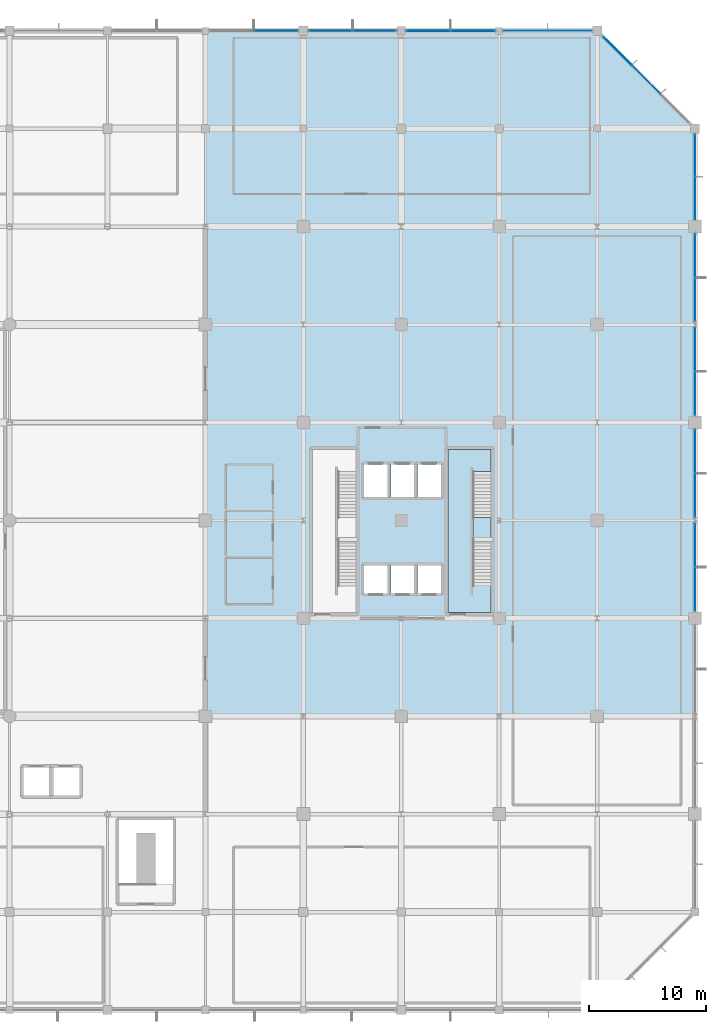
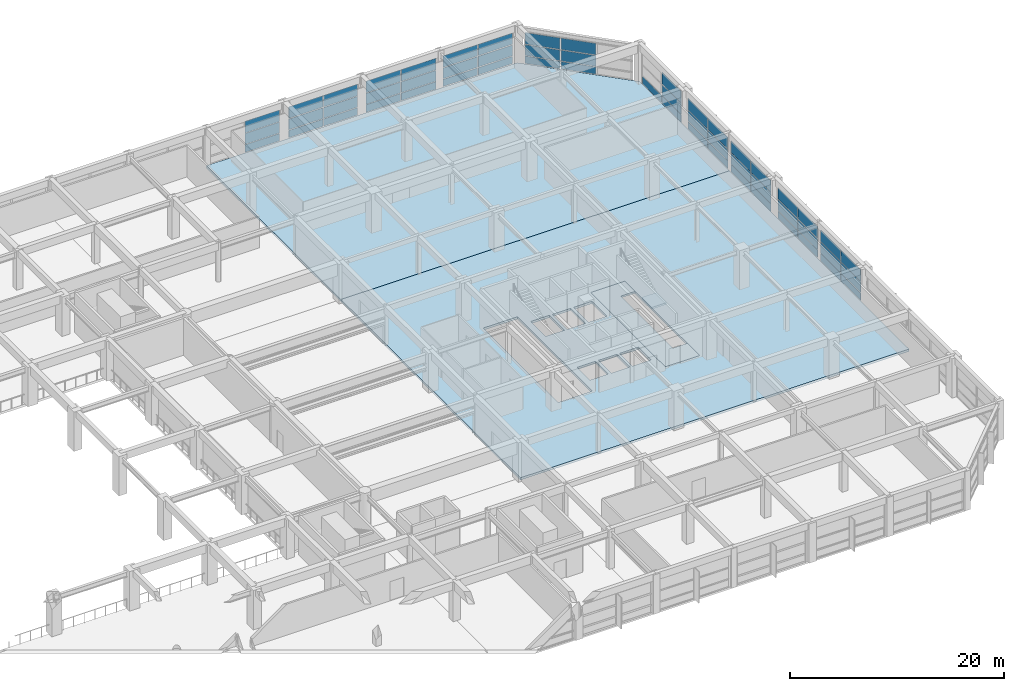
# One storey, part 40 of 56: 55 plates, 4 slabs, 11 elements without a shape of their own.
"""IFC4 building model written with IfcOpenShell, lengths in metres."""

from ifc_helpers import new_model, si_unit, direction, frame, origin, origin_2d, place, context, subcontext, project, spatial, polyline, rectangle, outline, extrude, material, layer, layer_set, type_object, element, aggregate, save


model = new_model("IFC4")

# Units and contexts
model_context = context("Model", 3, precision=1e-05, world=origin(), true_north=direction((0.0, 1.0)))
body_context = subcontext(model_context, "Body", "Model", "MODEL_VIEW")
ifc_project = project(units=[si_unit("LENGTHUNIT", "METRE"), si_unit("AREAUNIT", "SQUARE_METRE"), si_unit("VOLUMEUNIT", "CUBIC_METRE"), si_unit("PLANEANGLEUNIT", "RADIAN"), si_unit("MASSUNIT", "GRAM", prefix="KILO")], contexts=[model_context])

# Site, building, storey
site_placement = place(None, origin())
site = spatial("IfcSite", under=ifc_project, at=site_placement, CompositionType="ELEMENT")
building_placement = place(site_placement, origin())
building = spatial("IfcBuilding", under=site, at=building_placement, Name="Xuanlan Plaza Opera House", CompositionType="ELEMENT")
storey_placement = place(building_placement, frame((0.0, 0.0, 18.89990234375)))
storey = spatial("IfcBuildingStorey", under=building, at=storey_placement, Name="L04", CompositionType="ELEMENT", Elevation=18.89990234375)

# Curtain wall, plates
ifc_material_1 = material(Name="Anodised Aluminium 6063-T6 and Low-E Glass", Category="aluminium")
curtain_wall_type_1 = type_object("IfcCurtainWallType", Name="ENV-CW-CW-03", PredefinedType="USERDEFINED", material=ifc_material_1)
curtain_wall_1_placement = place(storey_placement, origin())
curtain_wall_1 = element("IfcCurtainWall", 1, at=curtain_wall_1_placement, inside=storey, type_object=curtain_wall_type_1, Name="Unitised Curtain Wall L04-025", ObjectType="UNITISED CURTAIN WALL", PredefinedType="USERDEFINED")
ifc_material_2 = material(Name="Laminated Acoustic Double Glazing", Category="glass")
ifc_layer_1 = layer(ifc_material_2, 0.028076171875)
ifc_layer_set_1 = layer_set([ifc_layer_1], Name="Laminated Acoustic Double Glazing")
plate_type_1 = type_object("IfcPlateType", Name="ENV-CWP-01", PredefinedType="CURTAIN_PANEL", material=ifc_layer_set_1)
plate_1_placement = place(storey_placement, frame((168.0, 86.438720703125, 0.065185546875), z_axis=(0.0, 0.0, 1.0), x_axis=(0.0, 1.0, 0.0)))
plate_1 = element("IfcPlate", 2, at=plate_1_placement, type_object=plate_type_1, Name="CW-03 panel 1.1", PredefinedType="CURTAIN_PANEL", context=body_context, shape_type="SweptSolid", body=[
    extrude(rectangle(XDim=3.607421875, YDim=0.028076171875, at=origin_2d()), origin(), (0.0, 0.0, 1.0), 0.8525390625),
])
plate_2_placement = place(storey_placement, frame((168.0, 86.438720703125, 0.982421875), z_axis=(0.0, 0.0, 1.0), x_axis=(0.0, 1.0, 0.0)))
plate_2 = element("IfcPlate", 3, at=plate_2_placement, type_object=plate_type_1, Name="CW-03 panel 1.2", PredefinedType="CURTAIN_PANEL", context=body_context, shape_type="SweptSolid", body=[
    extrude(rectangle(XDim=3.607421875, YDim=0.028076171875, at=origin_2d()), origin(), (0.0, 0.0, 1.0), 1.235107421875),
])
plate_3_placement = place(storey_placement, frame((168.0, 86.438720703125, 2.282470703125), z_axis=(0.0, 0.0, 1.0), x_axis=(0.0, 1.0, 0.0)))
plate_3 = element("IfcPlate", 4, at=plate_3_placement, type_object=plate_type_1, Name="CW-03 panel 1.3", PredefinedType="CURTAIN_PANEL", context=body_context, shape_type="SweptSolid", body=[
    extrude(rectangle(XDim=3.607421875, YDim=0.028076171875, at=origin_2d()), origin(), (0.0, 0.0, 1.0), 1.33251953125),
])
plate_4_placement = place(storey_placement, frame((168.0, 90.111328125, 0.065185546875), z_axis=(0.0, 0.0, 1.0), x_axis=(0.0, 1.0, 0.0)))
plate_4 = element("IfcPlate", 5, at=plate_4_placement, type_object=plate_type_1, Name="CW-03 panel 2.1", PredefinedType="CURTAIN_PANEL", context=body_context, shape_type="SweptSolid", body=[
    extrude(rectangle(XDim=3.607421875, YDim=0.028076171875, at=origin_2d()), origin(), (0.0, 0.0, 1.0), 0.8525390625),
])
aggregate(curtain_wall_1, [plate_1, plate_2, plate_3, plate_4])

curtain_wall_type_2 = type_object("IfcCurtainWallType", Name="ENV-CW-CW-05", PredefinedType="USERDEFINED", material=ifc_material_1)
curtain_wall_2_placement = place(storey_placement, origin())
curtain_wall_2 = element("IfcCurtainWall", 6, at=curtain_wall_2_placement, inside=storey, type_object=curtain_wall_type_2, Name="Acoustic Glazed Wall L04-030", ObjectType="ACOUSTIC GLAZED WALL", PredefinedType="USERDEFINED")
plate_5_placement = place(storey_placement, frame((132.048828125, 100.800048828125, 0.065185546875), z_axis=(0.0, 0.0, 1.0), x_axis=(-1.0, 0.0, 0.0)))
plate_5 = element("IfcPlate", 7, at=plate_5_placement, type_object=plate_type_1, Name="CW-05 panel 1.1", PredefinedType="CURTAIN_PANEL", context=body_context, shape_type="SweptSolid", body=[
    extrude(rectangle(XDim=3.732421875, YDim=0.028076171875, at=origin_2d()), origin(), (0.0, 0.0, 1.0), 0.8525390625),
])
plate_6_placement = place(storey_placement, frame((132.048828125, 100.800048828125, 0.982421875), z_axis=(0.0, 0.0, 1.0), x_axis=(-1.0, 0.0, 0.0)))
plate_6 = element("IfcPlate", 8, at=plate_6_placement, type_object=plate_type_1, Name="CW-05 panel 1.2", PredefinedType="CURTAIN_PANEL", context=body_context, shape_type="SweptSolid", body=[
    extrude(rectangle(XDim=3.732421875, YDim=0.028076171875, at=origin_2d()), origin(), (0.0, 0.0, 1.0), 1.235107421875),
])
plate_7_placement = place(storey_placement, frame((132.048828125, 100.800048828125, 2.282470703125), z_axis=(0.0, 0.0, 1.0), x_axis=(-1.0, 0.0, 0.0)))
plate_7 = element("IfcPlate", 9, at=plate_7_placement, type_object=plate_type_1, Name="CW-05 panel 1.3", PredefinedType="CURTAIN_PANEL", context=body_context, shape_type="SweptSolid", body=[
    extrude(rectangle(XDim=3.732421875, YDim=0.028076171875, at=origin_2d()), origin(), (0.0, 0.0, 1.0), 1.33251953125),
])
aggregate(curtain_wall_2, [plate_5, plate_6, plate_7])

curtain_wall_type_3 = type_object("IfcCurtainWallType", Name="ENV-CW-CW-04", PredefinedType="USERDEFINED", material=ifc_material_1)
curtain_wall_3_placement = place(storey_placement, origin())
curtain_wall_3 = element("IfcCurtainWall", 10, at=curtain_wall_3_placement, inside=storey, type_object=curtain_wall_type_3, Name="Unitised Curtain Wall L04-022", ObjectType="UNITISED CURTAIN WALL", PredefinedType="USERDEFINED")
ifc_layer_2 = layer(ifc_material_2, 0.031982421875)
ifc_layer_set_2 = layer_set([ifc_layer_2], Name="Laminated Acoustic Double Glazing")
plate_type_2 = type_object("IfcPlateType", Name="ENV-CWP-02", PredefinedType="CURTAIN_PANEL", material=ifc_layer_set_2)
plate_8_placement = place(storey_placement, frame((168.0, 60.941162109375, 0.090087890625), z_axis=(0.0, 0.0, 1.0), x_axis=(0.0, 1.0, 0.0)))
plate_8 = element("IfcPlate", 11, at=plate_8_placement, type_object=plate_type_2, Name="CW-04 panel 1.1", PredefinedType="CURTAIN_PANEL", context=body_context, shape_type="SweptSolid", body=[
    extrude(rectangle(XDim=3.6923828125, YDim=0.031982421875, at=origin_2d()), origin(), (0.0, 0.0, 1.0), 0.81494140625),
])
plate_9_placement = place(storey_placement, frame((168.0, 60.941162109375, 0.9951171875), z_axis=(0.0, 0.0, 1.0), x_axis=(0.0, 1.0, 0.0)))
plate_9 = element("IfcPlate", 12, at=plate_9_placement, type_object=plate_type_2, Name="CW-04 panel 1.2", PredefinedType="CURTAIN_PANEL", context=body_context, shape_type="SweptSolid", body=[
    extrude(rectangle(XDim=3.6923828125, YDim=0.031982421875, at=origin_2d()), origin(), (0.0, 0.0, 1.0), 1.2099609375),
])
plate_10_placement = place(storey_placement, frame((168.0, 60.941162109375, 2.295166015625), z_axis=(0.0, 0.0, 1.0), x_axis=(0.0, 1.0, 0.0)))
plate_10 = element("IfcPlate", 13, at=plate_10_placement, type_object=plate_type_2, Name="CW-04 panel 1.3", PredefinedType="CURTAIN_PANEL", context=body_context, shape_type="SweptSolid", body=[
    extrude(rectangle(XDim=3.6923828125, YDim=0.031982421875, at=origin_2d()), origin(), (0.0, 0.0, 1.0), 1.294921875),
])
plate_11_placement = place(storey_placement, frame((168.0, 64.708740234375, 0.090087890625), z_axis=(0.0, 0.0, 1.0), x_axis=(0.0, 1.0, 0.0)))
plate_11 = element("IfcPlate", 14, at=plate_11_placement, type_object=plate_type_2, Name="CW-04 panel 2.1", PredefinedType="CURTAIN_PANEL", context=body_context, shape_type="SweptSolid", body=[
    extrude(rectangle(XDim=3.6923828125, YDim=0.031982421875, at=origin_2d()), origin(), (0.0, 0.0, 1.0), 0.81494140625),
])
plate_12_placement = place(storey_placement, frame((168.0, 64.708740234375, 0.9951171875), z_axis=(0.0, 0.0, 1.0), x_axis=(0.0, 1.0, 0.0)))
plate_12 = element("IfcPlate", 15, at=plate_12_placement, type_object=plate_type_2, Name="CW-04 panel 2.2", PredefinedType="CURTAIN_PANEL", context=body_context, shape_type="SweptSolid", body=[
    extrude(rectangle(XDim=3.6923828125, YDim=0.031982421875, at=origin_2d()), origin(), (0.0, 0.0, 1.0), 1.2099609375),
])
plate_13_placement = place(storey_placement, frame((168.0, 64.708740234375, 2.295166015625), z_axis=(0.0, 0.0, 1.0), x_axis=(0.0, 1.0, 0.0)))
plate_13 = element("IfcPlate", 16, at=plate_13_placement, type_object=plate_type_2, Name="CW-04 panel 2.3", PredefinedType="CURTAIN_PANEL", context=body_context, shape_type="SweptSolid", body=[
    extrude(rectangle(XDim=3.6923828125, YDim=0.031982421875, at=origin_2d()), origin(), (0.0, 0.0, 1.0), 1.294921875),
])
aggregate(curtain_wall_3, [plate_8, plate_9, plate_10, plate_11, plate_12, plate_13])

curtain_wall_type_4 = type_object("IfcCurtainWallType", Name="ENV-CW-CW-01", PredefinedType="USERDEFINED", material=ifc_material_1)
curtain_wall_4_placement = place(storey_placement, origin())
curtain_wall_4 = element("IfcCurtainWall", 17, at=curtain_wall_4_placement, inside=storey, type_object=curtain_wall_type_4, Name="Unitised Curtain Wall L04-027", ObjectType="UNITISED CURTAIN WALL", PredefinedType="USERDEFINED")
plate_14_placement = place(storey_placement, frame((157.246337890625, 100.800048828125, 0.090087890625), z_axis=(0.0, 0.0, 1.0), x_axis=(-1.0, 0.0, 0.0)))
plate_14 = element("IfcPlate", 18, at=plate_14_placement, type_object=plate_type_2, Name="CW-01 panel 1.1", PredefinedType="CURTAIN_PANEL", context=body_context, shape_type="SweptSolid", body=[
    extrude(rectangle(XDim=3.717529296875, YDim=0.031982421875, at=origin_2d()), origin(), (0.0, 0.0, 1.0), 0.81494140625),
])
plate_15_placement = place(storey_placement, frame((157.246337890625, 100.800048828125, 0.9951171875), z_axis=(0.0, 0.0, 1.0), x_axis=(-1.0, 0.0, 0.0)))
plate_15 = element("IfcPlate", 19, at=plate_15_placement, type_object=plate_type_2, Name="CW-01 panel 1.2", PredefinedType="CURTAIN_PANEL", context=body_context, shape_type="SweptSolid", body=[
    extrude(rectangle(XDim=3.717529296875, YDim=0.031982421875, at=origin_2d()), origin(), (0.0, 0.0, 1.0), 1.2099609375),
])
plate_16_placement = place(storey_placement, frame((157.246337890625, 100.800048828125, 2.295166015625), z_axis=(0.0, 0.0, 1.0), x_axis=(-1.0, 0.0, 0.0)))
plate_16 = element("IfcPlate", 20, at=plate_16_placement, type_object=plate_type_2, Name="CW-01 panel 1.3", PredefinedType="CURTAIN_PANEL", context=body_context, shape_type="SweptSolid", body=[
    extrude(rectangle(XDim=3.717529296875, YDim=0.031982421875, at=origin_2d()), origin(), (0.0, 0.0, 1.0), 1.294921875),
])
plate_17_placement = place(storey_placement, frame((153.453857421875, 100.800048828125, 0.090087890625), z_axis=(0.0, 0.0, 1.0), x_axis=(-1.0, 0.0, 0.0)))
plate_17 = element("IfcPlate", 21, at=plate_17_placement, type_object=plate_type_2, Name="CW-01 panel 2.1", PredefinedType="CURTAIN_PANEL", context=body_context, shape_type="SweptSolid", body=[
    extrude(rectangle(XDim=3.717529296875, YDim=0.031982421875, at=origin_2d()), origin(), (0.0, 0.0, 1.0), 0.81494140625),
])
plate_18_placement = place(storey_placement, frame((153.453857421875, 100.800048828125, 0.9951171875), z_axis=(0.0, 0.0, 1.0), x_axis=(-1.0, 0.0, 0.0)))
plate_18 = element("IfcPlate", 22, at=plate_18_placement, type_object=plate_type_2, Name="CW-01 panel 2.2", PredefinedType="CURTAIN_PANEL", context=body_context, shape_type="SweptSolid", body=[
    extrude(rectangle(XDim=3.717529296875, YDim=0.031982421875, at=origin_2d()), origin(), (0.0, 0.0, 1.0), 1.2099609375),
])
plate_19_placement = place(storey_placement, frame((153.453857421875, 100.800048828125, 2.295166015625), z_axis=(0.0, 0.0, 1.0), x_axis=(-1.0, 0.0, 0.0)))
plate_19 = element("IfcPlate", 23, at=plate_19_placement, type_object=plate_type_2, Name="CW-01 panel 2.3", PredefinedType="CURTAIN_PANEL", context=body_context, shape_type="SweptSolid", body=[
    extrude(rectangle(XDim=3.717529296875, YDim=0.031982421875, at=origin_2d()), origin(), (0.0, 0.0, 1.0), 1.294921875),
])
aggregate(curtain_wall_4, [plate_14, plate_15, plate_16, plate_17, plate_18, plate_19])

curtain_wall_type_5 = type_object("IfcCurtainWallType", Name="ENV-CW-CW-02", PredefinedType="USERDEFINED", material=ifc_material_1)
curtain_wall_5_placement = place(storey_placement, origin())
curtain_wall_5 = element("IfcCurtainWall", 24, at=curtain_wall_5_placement, inside=storey, type_object=curtain_wall_type_5, Name="Unitised Curtain Wall L04-024", ObjectType="UNITISED CURTAIN WALL", PredefinedType="USERDEFINED")
ifc_layer_3 = layer(ifc_material_2, 0.035888671875)
ifc_layer_set_3 = layer_set([ifc_layer_3], Name="Laminated Acoustic Double Glazing")
plate_type_3 = type_object("IfcPlateType", Name="ENV-CWP-03", PredefinedType="CURTAIN_PANEL", material=ifc_layer_set_3)
plate_20_placement = place(storey_placement, frame((168.0, 77.7451171875, 0.080078125), z_axis=(0.0, 0.0, 1.0), x_axis=(0.0, 1.0, 0.0)))
plate_20 = element("IfcPlate", 25, at=plate_20_placement, type_object=plate_type_3, Name="CW-02 panel 1.1", PredefinedType="CURTAIN_PANEL", context=body_context, shape_type="SweptSolid", body=[
    extrude(rectangle(XDim=3.669921875, YDim=0.035888671875, at=origin_2d()), origin(), (0.0, 0.0, 1.0), 0.830078125),
])
plate_21_placement = place(storey_placement, frame((168.0, 77.7451171875, 0.990234375), z_axis=(0.0, 0.0, 1.0), x_axis=(0.0, 1.0, 0.0)))
plate_21 = element("IfcPlate", 26, at=plate_21_placement, type_object=plate_type_3, Name="CW-02 panel 1.2", PredefinedType="CURTAIN_PANEL", context=body_context, shape_type="SweptSolid", body=[
    extrude(rectangle(XDim=3.669921875, YDim=0.035888671875, at=origin_2d()), origin(), (0.0, 0.0, 1.0), 1.219970703125),
])
plate_22_placement = place(storey_placement, frame((168.0, 77.7451171875, 2.2900390625), z_axis=(0.0, 0.0, 1.0), x_axis=(0.0, 1.0, 0.0)))
plate_22 = element("IfcPlate", 27, at=plate_22_placement, type_object=plate_type_3, Name="CW-02 panel 1.3", PredefinedType="CURTAIN_PANEL", context=body_context, shape_type="SweptSolid", body=[
    extrude(rectangle(XDim=3.669921875, YDim=0.035888671875, at=origin_2d()), origin(), (0.0, 0.0, 1.0), 1.31005859375),
])
plate_23_placement = place(storey_placement, frame((168.0, 81.5048828125, 0.080078125), z_axis=(0.0, 0.0, 1.0), x_axis=(0.0, 1.0, 0.0)))
plate_23 = element("IfcPlate", 28, at=plate_23_placement, type_object=plate_type_3, Name="CW-02 panel 2.1", PredefinedType="CURTAIN_PANEL", context=body_context, shape_type="SweptSolid", body=[
    extrude(rectangle(XDim=3.669921875, YDim=0.035888671875, at=origin_2d()), origin(), (0.0, 0.0, 1.0), 0.830078125),
])
plate_24_placement = place(storey_placement, frame((168.0, 81.5048828125, 0.990234375), z_axis=(0.0, 0.0, 1.0), x_axis=(0.0, 1.0, 0.0)))
plate_24 = element("IfcPlate", 29, at=plate_24_placement, type_object=plate_type_3, Name="CW-02 panel 2.2", PredefinedType="CURTAIN_PANEL", context=body_context, shape_type="SweptSolid", body=[
    extrude(rectangle(XDim=3.669921875, YDim=0.035888671875, at=origin_2d()), origin(), (0.0, 0.0, 1.0), 1.219970703125),
])
plate_25_placement = place(storey_placement, frame((168.0, 81.5048828125, 2.2900390625), z_axis=(0.0, 0.0, 1.0), x_axis=(0.0, 1.0, 0.0)))
plate_25 = element("IfcPlate", 30, at=plate_25_placement, type_object=plate_type_3, Name="CW-02 panel 2.3", PredefinedType="CURTAIN_PANEL", context=body_context, shape_type="SweptSolid", body=[
    extrude(rectangle(XDim=3.669921875, YDim=0.035888671875, at=origin_2d()), origin(), (0.0, 0.0, 1.0), 1.31005859375),
])
aggregate(curtain_wall_5, [plate_20, plate_21, plate_22, plate_23, plate_24, plate_25])

curtain_wall_6_placement = place(storey_placement, origin())
curtain_wall_6 = element("IfcCurtainWall", 31, at=curtain_wall_6_placement, inside=storey, type_object=curtain_wall_type_1, Name="Unitised Curtain Wall L04-029", ObjectType="UNITISED CURTAIN WALL", PredefinedType="USERDEFINED")
plate_26_placement = place(storey_placement, frame((140.5048828125, 100.800048828125, 0.080078125), z_axis=(0.0, 0.0, 1.0), x_axis=(-1.0, 0.0, 0.0)))
plate_26 = element("IfcPlate", 32, at=plate_26_placement, type_object=plate_type_3, Name="CW-03 panel 1.1", PredefinedType="CURTAIN_PANEL", context=body_context, shape_type="SweptSolid", body=[
    extrude(rectangle(XDim=3.669921875, YDim=0.035888671875, at=origin_2d()), origin(), (0.0, 0.0, 1.0), 0.830078125),
])
plate_27_placement = place(storey_placement, frame((140.5048828125, 100.800048828125, 0.990234375), z_axis=(0.0, 0.0, 1.0), x_axis=(-1.0, 0.0, 0.0)))
plate_27 = element("IfcPlate", 33, at=plate_27_placement, type_object=plate_type_3, Name="CW-03 panel 1.2", PredefinedType="CURTAIN_PANEL", context=body_context, shape_type="SweptSolid", body=[
    extrude(rectangle(XDim=3.669921875, YDim=0.035888671875, at=origin_2d()), origin(), (0.0, 0.0, 1.0), 1.219970703125),
])
plate_28_placement = place(storey_placement, frame((140.5048828125, 100.800048828125, 2.2900390625), z_axis=(0.0, 0.0, 1.0), x_axis=(-1.0, 0.0, 0.0)))
plate_28 = element("IfcPlate", 34, at=plate_28_placement, type_object=plate_type_3, Name="CW-03 panel 1.3", PredefinedType="CURTAIN_PANEL", context=body_context, shape_type="SweptSolid", body=[
    extrude(rectangle(XDim=3.669921875, YDim=0.035888671875, at=origin_2d()), origin(), (0.0, 0.0, 1.0), 1.31005859375),
])
plate_29_placement = place(storey_placement, frame((136.7451171875, 100.800048828125, 0.080078125), z_axis=(0.0, 0.0, 1.0), x_axis=(-1.0, 0.0, 0.0)))
plate_29 = element("IfcPlate", 35, at=plate_29_placement, type_object=plate_type_3, Name="CW-03 panel 2.1", PredefinedType="CURTAIN_PANEL", context=body_context, shape_type="SweptSolid", body=[
    extrude(rectangle(XDim=3.669921875, YDim=0.035888671875, at=origin_2d()), origin(), (0.0, 0.0, 1.0), 0.830078125),
])
plate_30_placement = place(storey_placement, frame((136.7451171875, 100.800048828125, 0.990234375), z_axis=(0.0, 0.0, 1.0), x_axis=(-1.0, 0.0, 0.0)))
plate_30 = element("IfcPlate", 36, at=plate_30_placement, type_object=plate_type_3, Name="CW-03 panel 2.2", PredefinedType="CURTAIN_PANEL", context=body_context, shape_type="SweptSolid", body=[
    extrude(rectangle(XDim=3.669921875, YDim=0.035888671875, at=origin_2d()), origin(), (0.0, 0.0, 1.0), 1.219970703125),
])
plate_31_placement = place(storey_placement, frame((136.7451171875, 100.800048828125, 2.2900390625), z_axis=(0.0, 0.0, 1.0), x_axis=(-1.0, 0.0, 0.0)))
plate_31 = element("IfcPlate", 37, at=plate_31_placement, type_object=plate_type_3, Name="CW-03 panel 2.3", PredefinedType="CURTAIN_PANEL", context=body_context, shape_type="SweptSolid", body=[
    extrude(rectangle(XDim=3.669921875, YDim=0.035888671875, at=origin_2d()), origin(), (0.0, 0.0, 1.0), 1.31005859375),
])
aggregate(curtain_wall_6, [plate_26, plate_27, plate_28, plate_29, plate_30, plate_31])

curtain_wall_7_placement = place(storey_placement, origin())
curtain_wall_7 = element("IfcCurtainWall", 38, at=curtain_wall_7_placement, inside=storey, type_object=curtain_wall_type_1, Name="Unitised Curtain Wall L04-021", ObjectType="UNITISED CURTAIN WALL", PredefinedType="USERDEFINED")
ifc_layer_4 = layer(ifc_material_2, 0.0400390625)
ifc_layer_set_4 = layer_set([ifc_layer_4], Name="Laminated Acoustic Double Glazing")
plate_type_4 = type_object("IfcPlateType", Name="ENV-CWP-04", PredefinedType="CURTAIN_PANEL", material=ifc_layer_set_4)
plate_32_placement = place(storey_placement, frame((168.0, 52.889892578125, 0.0751953125), z_axis=(0.0, 0.0, 1.0), x_axis=(0.0, 1.0, 0.0)))
plate_32 = element("IfcPlate", 39, at=plate_32_placement, type_object=plate_type_4, Name="CW-03 panel 1.1", PredefinedType="CURTAIN_PANEL", context=body_context, shape_type="SweptSolid", body=[
    extrude(rectangle(XDim=3.699951171875, YDim=0.0400390625, at=origin_2d()), origin(), (0.0, 0.0, 1.0), 0.83740234375),
])
plate_33_placement = place(storey_placement, frame((168.0, 52.889892578125, 0.987548828125), z_axis=(0.0, 0.0, 1.0), x_axis=(0.0, 1.0, 0.0)))
plate_33 = element("IfcPlate", 40, at=plate_33_placement, type_object=plate_type_4, Name="CW-03 panel 1.2", PredefinedType="CURTAIN_PANEL", context=body_context, shape_type="SweptSolid", body=[
    extrude(rectangle(XDim=3.699951171875, YDim=0.0400390625, at=origin_2d()), origin(), (0.0, 0.0, 1.0), 1.22509765625),
])
plate_34_placement = place(storey_placement, frame((168.0, 52.889892578125, 2.28759765625), z_axis=(0.0, 0.0, 1.0), x_axis=(0.0, 1.0, 0.0)))
plate_34 = element("IfcPlate", 41, at=plate_34_placement, type_object=plate_type_4, Name="CW-03 panel 1.3", PredefinedType="CURTAIN_PANEL", context=body_context, shape_type="SweptSolid", body=[
    extrude(rectangle(XDim=3.699951171875, YDim=0.0400390625, at=origin_2d()), origin(), (0.0, 0.0, 1.0), 1.3173828125),
])
plate_35_placement = place(storey_placement, frame((168.0, 56.659912109375, 0.0751953125), z_axis=(0.0, 0.0, 1.0), x_axis=(0.0, 1.0, 0.0)))
plate_35 = element("IfcPlate", 42, at=plate_35_placement, type_object=plate_type_4, Name="CW-03 panel 2.1", PredefinedType="CURTAIN_PANEL", context=body_context, shape_type="SweptSolid", body=[
    extrude(rectangle(XDim=3.699951171875, YDim=0.0400390625, at=origin_2d()), origin(), (0.0, 0.0, 1.0), 0.83740234375),
])
plate_36_placement = place(storey_placement, frame((168.0, 56.659912109375, 0.987548828125), z_axis=(0.0, 0.0, 1.0), x_axis=(0.0, 1.0, 0.0)))
plate_36 = element("IfcPlate", 43, at=plate_36_placement, type_object=plate_type_4, Name="CW-03 panel 2.2", PredefinedType="CURTAIN_PANEL", context=body_context, shape_type="SweptSolid", body=[
    extrude(rectangle(XDim=3.699951171875, YDim=0.0400390625, at=origin_2d()), origin(), (0.0, 0.0, 1.0), 1.22509765625),
])
plate_37_placement = place(storey_placement, frame((168.0, 56.659912109375, 2.28759765625), z_axis=(0.0, 0.0, 1.0), x_axis=(0.0, 1.0, 0.0)))
plate_37 = element("IfcPlate", 44, at=plate_37_placement, type_object=plate_type_4, Name="CW-03 panel 2.3", PredefinedType="CURTAIN_PANEL", context=body_context, shape_type="SweptSolid", body=[
    extrude(rectangle(XDim=3.699951171875, YDim=0.0400390625, at=origin_2d()), origin(), (0.0, 0.0, 1.0), 1.3173828125),
])
aggregate(curtain_wall_7, [plate_32, plate_33, plate_34, plate_35, plate_36, plate_37])

curtain_wall_8_placement = place(storey_placement, origin())
curtain_wall_8 = element("IfcCurtainWall", 45, at=curtain_wall_8_placement, inside=storey, type_object=curtain_wall_type_3, Name="Unitised Curtain Wall L04-026", ObjectType="UNITISED CURTAIN WALL", PredefinedType="USERDEFINED")
plate_38_placement = place(storey_placement, frame((163.800048828125, 96.60009765625, 0.0751953125), z_axis=(0.0, 0.0, 1.0), x_axis=(-0.707106781187, 0.707106781187, 0.0)))
plate_38 = element("IfcPlate", 46, at=plate_38_placement, type_object=plate_type_4, Name="CW-04 panel 2.1", PredefinedType="CURTAIN_PANEL", context=body_context, shape_type="SweptSolid", body=[
    extrude(rectangle(XDim=3.41943359375, YDim=0.0400390625, at=origin_2d()), origin(), (0.0, 0.0, 1.0), 0.83740234375),
])
plate_39_placement = place(storey_placement, frame((163.800048828125, 96.60009765625, 0.987548828125), z_axis=(0.0, 0.0, 1.0), x_axis=(-0.707106781187, 0.707106781187, 0.0)))
plate_39 = element("IfcPlate", 47, at=plate_39_placement, type_object=plate_type_4, Name="CW-04 panel 2.2", PredefinedType="CURTAIN_PANEL", context=body_context, shape_type="SweptSolid", body=[
    extrude(rectangle(XDim=3.41943359375, YDim=0.0400390625, at=origin_2d()), origin(), (0.0, 0.0, 1.0), 1.22509765625),
])
plate_40_placement = place(storey_placement, frame((163.800048828125, 96.60009765625, 2.28759765625), z_axis=(0.0, 0.0, 1.0), x_axis=(-0.707106781187, 0.707106781187, 0.0)))
plate_40 = element("IfcPlate", 48, at=plate_40_placement, type_object=plate_type_4, Name="CW-04 panel 2.3", PredefinedType="CURTAIN_PANEL", context=body_context, shape_type="SweptSolid", body=[
    extrude(rectangle(XDim=3.41943359375, YDim=0.0400390625, at=origin_2d()), origin(), (0.0, 0.0, 1.0), 1.3173828125),
])
plate_41_placement = place(storey_placement, frame((161.344970703125, 99.054931640625, 0.0751953125), z_axis=(0.0, 0.0, 1.0), x_axis=(-0.707106781187, 0.707106781187, 0.0)))
plate_41 = element("IfcPlate", 49, at=plate_41_placement, type_object=plate_type_4, Name="CW-04 panel 3.1", PredefinedType="CURTAIN_PANEL", context=body_context, shape_type="SweptSolid", body=[
    extrude(rectangle(XDim=3.38427734375, YDim=0.0400390625, at=origin_2d()), origin(), (0.0, 0.0, 1.0), 0.83740234375),
])
plate_42_placement = place(storey_placement, frame((161.344970703125, 99.054931640625, 0.987548828125), z_axis=(0.0, 0.0, 1.0), x_axis=(-0.707106781187, 0.707106781187, 0.0)))
plate_42 = element("IfcPlate", 50, at=plate_42_placement, type_object=plate_type_4, Name="CW-04 panel 3.2", PredefinedType="CURTAIN_PANEL", context=body_context, shape_type="SweptSolid", body=[
    extrude(rectangle(XDim=3.38427734375, YDim=0.0400390625, at=origin_2d()), origin(), (0.0, 0.0, 1.0), 1.22509765625),
])
plate_43_placement = place(storey_placement, frame((161.344970703125, 99.054931640625, 2.28759765625), z_axis=(0.0, 0.0, 1.0), x_axis=(-0.707106781187, 0.707106781187, 0.0)))
plate_43 = element("IfcPlate", 51, at=plate_43_placement, type_object=plate_type_4, Name="CW-04 panel 3.3", PredefinedType="CURTAIN_PANEL", context=body_context, shape_type="SweptSolid", body=[
    extrude(rectangle(XDim=3.38427734375, YDim=0.0400390625, at=origin_2d()), origin(), (0.0, 0.0, 1.0), 1.3173828125),
])
aggregate(curtain_wall_8, [plate_38, plate_39, plate_40, plate_41, plate_42, plate_43])

curtain_wall_9_placement = place(storey_placement, origin())
curtain_wall_9 = element("IfcCurtainWall", 52, at=curtain_wall_9_placement, inside=storey, type_object=curtain_wall_type_4, Name="Unitised Curtain Wall L04-023", ObjectType="UNITISED CURTAIN WALL", PredefinedType="USERDEFINED")
ifc_layer_5 = layer(ifc_material_2, 0.0439453125)
ifc_layer_set_5 = layer_set([ifc_layer_5], Name="Laminated Acoustic Double Glazing")
plate_type_5 = type_object("IfcPlateType", Name="ENV-CWP-05", PredefinedType="CURTAIN_PANEL", material=ifc_layer_set_5)
plate_44_placement = place(storey_placement, frame((168.0, 69.6923828125, 0.0703125), z_axis=(0.0, 0.0, 1.0), x_axis=(0.0, 1.0, 0.0)))
plate_44 = element("IfcPlate", 53, at=plate_44_placement, type_object=plate_type_5, Name="CW-01 panel 1.1", PredefinedType="CURTAIN_PANEL", context=body_context, shape_type="SweptSolid", body=[
    extrude(rectangle(XDim=3.68505859375, YDim=0.0439453125, at=origin_2d()), origin(), (0.0, 0.0, 1.0), 0.844970703125),
])
plate_45_placement = place(storey_placement, frame((168.0, 69.6923828125, 0.985107421875), z_axis=(0.0, 0.0, 1.0), x_axis=(0.0, 1.0, 0.0)))
plate_45 = element("IfcPlate", 54, at=plate_45_placement, type_object=plate_type_5, Name="CW-01 panel 1.2", PredefinedType="CURTAIN_PANEL", context=body_context, shape_type="SweptSolid", body=[
    extrude(rectangle(XDim=3.68505859375, YDim=0.0439453125, at=origin_2d()), origin(), (0.0, 0.0, 1.0), 1.22998046875),
])
plate_46_placement = place(storey_placement, frame((168.0, 69.6923828125, 2.28515625), z_axis=(0.0, 0.0, 1.0), x_axis=(0.0, 1.0, 0.0)))
plate_46 = element("IfcPlate", 55, at=plate_46_placement, type_object=plate_type_5, Name="CW-01 panel 1.3", PredefinedType="CURTAIN_PANEL", context=body_context, shape_type="SweptSolid", body=[
    extrude(rectangle(XDim=3.68505859375, YDim=0.0439453125, at=origin_2d()), origin(), (0.0, 0.0, 1.0), 1.324951171875),
])
plate_47_placement = place(storey_placement, frame((168.0, 73.45751953125, 0.0703125), z_axis=(0.0, 0.0, 1.0), x_axis=(0.0, 1.0, 0.0)))
plate_47 = element("IfcPlate", 56, at=plate_47_placement, type_object=plate_type_5, Name="CW-01 panel 2.1", PredefinedType="CURTAIN_PANEL", context=body_context, shape_type="SweptSolid", body=[
    extrude(rectangle(XDim=3.68505859375, YDim=0.0439453125, at=origin_2d()), origin(), (0.0, 0.0, 1.0), 0.844970703125),
])
plate_48_placement = place(storey_placement, frame((168.0, 73.45751953125, 0.985107421875), z_axis=(0.0, 0.0, 1.0), x_axis=(0.0, 1.0, 0.0)))
plate_48 = element("IfcPlate", 57, at=plate_48_placement, type_object=plate_type_5, Name="CW-01 panel 2.2", PredefinedType="CURTAIN_PANEL", context=body_context, shape_type="SweptSolid", body=[
    extrude(rectangle(XDim=3.68505859375, YDim=0.0439453125, at=origin_2d()), origin(), (0.0, 0.0, 1.0), 1.22998046875),
])
plate_49_placement = place(storey_placement, frame((168.0, 73.45751953125, 2.28515625), z_axis=(0.0, 0.0, 1.0), x_axis=(0.0, 1.0, 0.0)))
plate_49 = element("IfcPlate", 58, at=plate_49_placement, type_object=plate_type_5, Name="CW-01 panel 2.3", PredefinedType="CURTAIN_PANEL", context=body_context, shape_type="SweptSolid", body=[
    extrude(rectangle(XDim=3.68505859375, YDim=0.0439453125, at=origin_2d()), origin(), (0.0, 0.0, 1.0), 1.324951171875),
])
aggregate(curtain_wall_9, [plate_44, plate_45, plate_46, plate_47, plate_48, plate_49])

curtain_wall_10_placement = place(storey_placement, origin())
curtain_wall_10 = element("IfcCurtainWall", 59, at=curtain_wall_10_placement, inside=storey, type_object=curtain_wall_type_5, Name="Unitised Curtain Wall L04-028", ObjectType="UNITISED CURTAIN WALL", PredefinedType="USERDEFINED")
plate_50_placement = place(storey_placement, frame((148.9326171875, 100.800048828125, 0.0703125), z_axis=(0.0, 0.0, 1.0), x_axis=(-1.0, 0.0, 0.0)))
plate_50 = element("IfcPlate", 60, at=plate_50_placement, type_object=plate_type_5, Name="CW-02 panel 1.1", PredefinedType="CURTAIN_PANEL", context=body_context, shape_type="SweptSolid", body=[
    extrude(rectangle(XDim=3.735107421875, YDim=0.0439453125, at=origin_2d()), origin(), (0.0, 0.0, 1.0), 0.844970703125),
])
plate_51_placement = place(storey_placement, frame((148.9326171875, 100.800048828125, 0.985107421875), z_axis=(0.0, 0.0, 1.0), x_axis=(-1.0, 0.0, 0.0)))
plate_51 = element("IfcPlate", 61, at=plate_51_placement, type_object=plate_type_5, Name="CW-02 panel 1.2", PredefinedType="CURTAIN_PANEL", context=body_context, shape_type="SweptSolid", body=[
    extrude(rectangle(XDim=3.735107421875, YDim=0.0439453125, at=origin_2d()), origin(), (0.0, 0.0, 1.0), 1.22998046875),
])
plate_52_placement = place(storey_placement, frame((148.9326171875, 100.800048828125, 2.28515625), z_axis=(0.0, 0.0, 1.0), x_axis=(-1.0, 0.0, 0.0)))
plate_52 = element("IfcPlate", 62, at=plate_52_placement, type_object=plate_type_5, Name="CW-02 panel 1.3", PredefinedType="CURTAIN_PANEL", context=body_context, shape_type="SweptSolid", body=[
    extrude(rectangle(XDim=3.735107421875, YDim=0.0439453125, at=origin_2d()), origin(), (0.0, 0.0, 1.0), 1.324951171875),
])
plate_53_placement = place(storey_placement, frame((145.117431640625, 100.800048828125, 0.0703125), z_axis=(0.0, 0.0, 1.0), x_axis=(-1.0, 0.0, 0.0)))
plate_53 = element("IfcPlate", 63, at=plate_53_placement, type_object=plate_type_5, Name="CW-02 panel 2.1", PredefinedType="CURTAIN_PANEL", context=body_context, shape_type="SweptSolid", body=[
    extrude(rectangle(XDim=3.735107421875, YDim=0.0439453125, at=origin_2d()), origin(), (0.0, 0.0, 1.0), 0.844970703125),
])
plate_54_placement = place(storey_placement, frame((145.117431640625, 100.800048828125, 0.985107421875), z_axis=(0.0, 0.0, 1.0), x_axis=(-1.0, 0.0, 0.0)))
plate_54 = element("IfcPlate", 64, at=plate_54_placement, type_object=plate_type_5, Name="CW-02 panel 2.2", PredefinedType="CURTAIN_PANEL", context=body_context, shape_type="SweptSolid", body=[
    extrude(rectangle(XDim=3.735107421875, YDim=0.0439453125, at=origin_2d()), origin(), (0.0, 0.0, 1.0), 1.22998046875),
])
plate_55_placement = place(storey_placement, frame((145.117431640625, 100.800048828125, 2.28515625), z_axis=(0.0, 0.0, 1.0), x_axis=(-1.0, 0.0, 0.0)))
plate_55 = element("IfcPlate", 65, at=plate_55_placement, type_object=plate_type_5, Name="CW-02 panel 2.3", PredefinedType="CURTAIN_PANEL", context=body_context, shape_type="SweptSolid", body=[
    extrude(rectangle(XDim=3.735107421875, YDim=0.0439453125, at=origin_2d()), origin(), (0.0, 0.0, 1.0), 1.324951171875),
])
aggregate(curtain_wall_10, [plate_50, plate_51, plate_52, plate_53, plate_54, plate_55])

# Stair, slabs
ifc_material_3 = material(Name="Concrete C40", Category="concrete")
stair_type = type_object("IfcStairType", Name="INT-ST-STR-T155", PredefinedType="STRAIGHT_RUN_STAIR", material=ifc_material_3)
stair_placement = place(storey_placement, origin())
stair = element("IfcStair", 66, at=stair_placement, inside=storey, type_object=stair_type, Name="Protected Exit Stair ST-T2 L04", PredefinedType="STRAIGHT_RUN_STAIR")
ifc_layer_6 = layer(ifc_material_3, 0.199951171875)
ifc_layer_set_6 = layer_set([ifc_layer_6], Name="Concrete C40")
slab_type_1 = type_object("IfcSlabType", Name="INT-SLB-LND-20", PredefinedType="LANDING", material=ifc_layer_set_6)
slab_1_placement = place(storey_placement, frame((0.0, 0.0, 2.050048828125)))
slab_1 = element("IfcSlab", 67, at=slab_1_placement, type_object=slab_type_1, Name="ST-T2-L04 landing 1", PredefinedType="LANDING", context=body_context, shape_type="SweptSolid", body=[
    extrude(outline(polyline([(148.949951171875, 57.135009765625), (150.5, 57.135009765625), (150.5, 59.034912109375), (148.949951171875, 59.034912109375), (148.949951171875, 57.135009765625)])), origin(), (0.0, 0.0, 1.0), 0.199951171875),
])
slab_2_placement = place(storey_placement, frame((0.0, 0.0, -0.199951171875)))
slab_2 = element("IfcSlab", 68, at=slab_2_placement, type_object=slab_type_1, Name="ST-T2-L04 landing 2", PredefinedType="LANDING", context=body_context, shape_type="SweptSolid", body=[
    extrude(outline(polyline([(146.800048828125, 50.89990234375), (150.5, 50.89990234375), (150.5, 53.195068359375), (148.949951171875, 53.195068359375), (148.949951171875, 62.97509765625), (150.5, 62.97509765625), (150.5, 64.89990234375), (146.800048828125, 64.89990234375), (146.800048828125, 50.89990234375)])), origin(), (0.0, 0.0, 1.0), 0.199951171875),
])
aggregate(stair, [slab_1, slab_2])

# Slabs
ifc_layer_7 = layer(ifc_material_3, 0.260009765625)
ifc_layer_set_7 = layer_set([ifc_layer_7], Name="Concrete C40")
slab_type_2 = type_object("IfcSlabType", Name="STR-SLB-SL-02", PredefinedType="FLOOR", material=ifc_layer_set_7)
slab_3_placement = place(storey_placement, frame((0.0, 0.0, -0.260009765625)))
element("IfcSlab", 69, at=slab_3_placement, inside=storey, type_object=slab_type_2, Name="Storey L04 Structural Floor Slab Zone 14", PredefinedType="FLOOR", context=body_context, shape_type="SweptSolid", body=[
    extrude(outline(polyline([(168.0, 42.0), (126.0, 42.0), (126.0, 75.60009765625), (168.0, 75.60009765625), (168.0, 42.0)]), holes=[polyline([(138.89990234375, 50.89990234375), (138.89990234375, 64.89990234375), (135.199951171875, 64.89990234375), (135.199951171875, 50.89990234375), (138.89990234375, 50.89990234375)]), polyline([(146.800048828125, 50.89990234375), (150.5, 50.89990234375), (150.5, 64.89990234375), (146.800048828125, 64.89990234375), (146.800048828125, 50.89990234375)]), polyline([(139.60009765625, 60.800048828125), (141.60009765625, 60.800048828125), (141.60009765625, 63.60009765625), (139.60009765625, 63.60009765625), (139.60009765625, 60.800048828125)]), polyline([(141.89990234375, 63.60009765625), (141.89990234375, 60.800048828125), (143.89990234375, 60.800048828125), (143.89990234375, 63.60009765625), (141.89990234375, 63.60009765625)]), polyline([(146.199951171875, 63.60009765625), (144.199951171875, 63.60009765625), (144.199951171875, 60.800048828125), (146.199951171875, 60.800048828125), (146.199951171875, 63.60009765625)]), polyline([(141.60009765625, 52.550048828125), (141.60009765625, 54.949951171875), (139.60009765625, 54.949951171875), (139.60009765625, 52.550048828125), (141.60009765625, 52.550048828125)]), polyline([(141.89990234375, 52.550048828125), (143.89990234375, 52.550048828125), (143.89990234375, 54.949951171875), (141.89990234375, 54.949951171875), (141.89990234375, 52.550048828125)]), polyline([(144.199951171875, 54.949951171875), (144.199951171875, 52.550048828125), (146.199951171875, 52.550048828125), (146.199951171875, 54.949951171875), (144.199951171875, 54.949951171875)])]), origin(), (0.0, 0.0, 1.0), 0.260009765625),
])
slab_4_placement = place(storey_placement, frame((0.0, 0.0, -0.260009765625)))
element("IfcSlab", 70, at=slab_4_placement, inside=storey, type_object=slab_type_2, Name="Storey L04 Structural Floor Slab Zone 15", PredefinedType="FLOOR", context=body_context, shape_type="SweptSolid", body=[
    extrude(outline(polyline([(168.0, 92.39990234375), (168.0, 75.60009765625), (126.0, 75.60009765625), (126.0, 100.800048828125), (159.60009765625, 100.800048828125), (168.0, 92.39990234375)])), origin(), (0.0, 0.0, 1.0), 0.260009765625),
])

save(model, "model.ifc")
